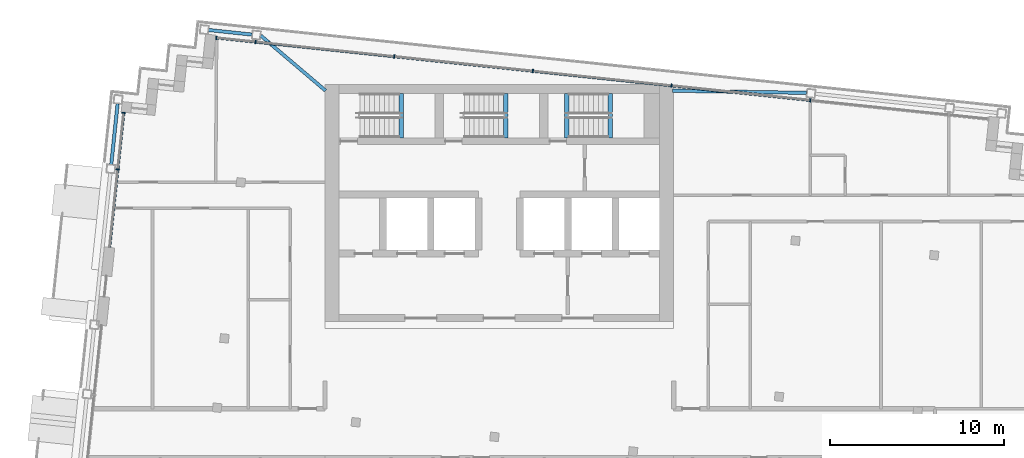
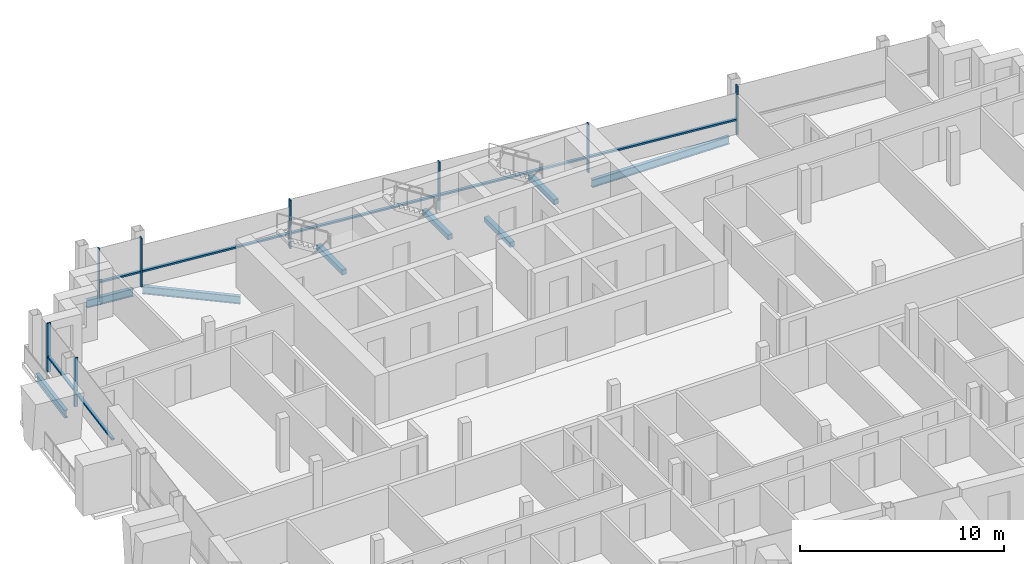
# One storey, part 5 of 17: 15 members, 8 beams, 2 elements without a shape of their own.
"""IFC4 building model written with IfcOpenShell, lengths in metres."""

import ifcopenshell
import ifcopenshell.guid

model = None  # the IFC model being written
_history = None  # IfcOwnerHistory: only IFC2X3 demands one
_inside = {}  # id of a spatial element -> (the spatial element, [elements in it])
_under = {}  # id of a project, library or spatial element -> (it, [spatial elements below it])
_declared = {}  # id of a project -> (the project, [libraries it declares])
_typed = {}  # id of a type object -> (the type object, [elements of that type])
_made_of = {}  # id of a material, layer set ... -> (it, [elements and type objects made of it])


def new_model(schema):
    """Start an empty IFC model of exactly this schema.

    Asked for "IFC4X3", IfcOpenShell would pick the latest addendum, in which some entities
    have other attributes; the version numbers below select the first issue.
    IFC2X3 requires an IfcOwnerHistory on every rooted entity: one is made here for all.
    """
    global model, _history
    if schema == "IFC4X3":
        model = ifcopenshell.file(schema_version=(4, 3, 0, 0))
    else:
        model = ifcopenshell.file(schema=schema)
    _inside.clear()
    _under.clear()
    _declared.clear()
    _typed.clear()
    _made_of.clear()
    _history = None
    if model.schema == "IFC2X3":
        org = make("IfcOrganization", Name="unknown")
        user = make(
            "IfcPersonAndOrganization",
            ThePerson=make("IfcPerson", FamilyName="unknown"),
            TheOrganization=org,
        )
        app = make(
            "IfcApplication",
            ApplicationDeveloper=org,
            Version="unknown",
            ApplicationFullName="unknown",
            ApplicationIdentifier="unknown",
        )
        _history = make(
            "IfcOwnerHistory",
            OwningUser=user,
            OwningApplication=app,
            ChangeAction="ADDED",
            CreationDate=0,
        )
    return model


def make(cls, **values):
    """One entity of the class cls with the attributes given. An attribute that is None is left unset."""
    return model.create_entity(
        cls, **{name: value for name, value in values.items() if value is not None}
    )


def rooted(cls, **values):
    """An entity with a GlobalId (a new one), such as an element, a storey or a relation."""
    return make(cls, GlobalId=ifcopenshell.guid.new(), OwnerHistory=_history, **values)


def si_unit(unit_type, name, prefix=None):
    """IfcSIUnit, for example si_unit("LENGTHUNIT", "METRE", prefix="MILLI")."""
    return make("IfcSIUnit", UnitType=unit_type, Prefix=prefix, Name=name)


def assignment(units):
    """IfcUnitAssignment: the units of a project."""
    return None if units is None else make("IfcUnitAssignment", Units=units)


def point(xyz):
    """IfcCartesianPoint."""
    return None if xyz is None else make("IfcCartesianPoint", Coordinates=xyz)


def direction(xyz):
    """IfcDirection."""
    return None if xyz is None else make("IfcDirection", DirectionRatios=xyz)


def frame(location, z_axis=None, x_axis=None):
    """IfcAxis2Placement3D, a coordinate frame: its origin and axes. An axis left out is left unset."""
    return make(
        "IfcAxis2Placement3D",
        Location=point(location),
        Axis=direction(z_axis),
        RefDirection=direction(x_axis),
    )


def frame_2d(location, x_axis=None):
    """IfcAxis2Placement2D, a coordinate frame in the plane: its origin and x axis."""
    return make(
        "IfcAxis2Placement2D", Location=point(location), RefDirection=direction(x_axis)
    )


def origin():
    """The frame at (0, 0, 0) with its axes left unset."""
    return frame((0.0, 0.0, 0.0))


def origin_2d():
    """The frame at (0, 0) in the plane with its x axis left unset."""
    return frame_2d((0.0, 0.0))


def place(relative_to, where):
    """IfcLocalPlacement: puts the frame where relative to a parent placement (None: the world)."""
    return make(
        "IfcLocalPlacement", PlacementRelTo=relative_to, RelativePlacement=where
    )


def context(
    kind, dimensions, precision=None, world=None, true_north=None, identifier=None
):
    """IfcGeometricRepresentationContext, for example the 3D "Model" context."""
    return make(
        "IfcGeometricRepresentationContext",
        ContextIdentifier=identifier,
        ContextType=kind,
        CoordinateSpaceDimension=dimensions,
        Precision=precision,
        WorldCoordinateSystem=world,
        TrueNorth=true_north,
    )


def subcontext(parent, identifier, kind, view, scale=None):
    """IfcGeometricRepresentationSubContext, for example "Body" below "Model"."""
    return make(
        "IfcGeometricRepresentationSubContext",
        ContextIdentifier=identifier,
        ContextType=kind,
        ParentContext=parent,
        TargetScale=scale,
        TargetView=view,
    )


def project(units=None, contexts=None):
    """IfcProject with its units and contexts."""
    return rooted(
        "IfcProject",
        Name="project",
        RepresentationContexts=contexts,
        UnitsInContext=assignment(units),
    )


def spatial(cls, under=None, at=None, **own):
    """A site, building, storey or space (cls), placed at a placement, below another one or the project."""
    s = rooted(cls, ObjectPlacement=at, **own)
    if under is not None:
        _under.setdefault(under.id(), (under, []))[1].append(s)
    return s


def profile(cls, at=None, kind="AREA", **sizes):
    """A parametric profile (cls). Its sizes go by their IFC names, for example OverallWidth=200.0."""
    return make(cls, ProfileType=kind, Position=at, **sizes)


def rectangle(**sizes):
    """IfcRectangleProfileDef."""
    return profile("IfcRectangleProfileDef", **sizes)


def i_section(**sizes):
    """IfcIShapeProfileDef."""
    return profile("IfcIShapeProfileDef", **sizes)


def extrude(swept, where, along, depth):
    """IfcExtrudedAreaSolid: the profile swept, set in the frame where, extruded along a direction by depth."""
    return make(
        "IfcExtrudedAreaSolid",
        SweptArea=swept,
        Position=where,
        ExtrudedDirection=direction(along),
        Depth=depth,
    )


def shape(context_of_items, identifier, shape_type, items):
    """IfcShapeRepresentation: the items that make up one representation, for example the "Body"."""
    return make(
        "IfcShapeRepresentation",
        ContextOfItems=context_of_items,
        RepresentationIdentifier=identifier,
        RepresentationType=shape_type,
        Items=items,
    )


def material(Name=None, Category=None):
    """IfcMaterial."""
    return make("IfcMaterial", Name=Name, Category=Category)


def material_profile(
    of_material, cross_section, Name=None, Category=None, Priority=None
):
    """IfcMaterialProfile: a cross section and its material."""
    return make(
        "IfcMaterialProfile",
        Name=Name,
        Material=of_material,
        Profile=cross_section,
        Priority=Priority,
        Category=Category,
    )


def profile_set(profiles, Name=None, composite=None):
    """IfcMaterialProfileSet."""
    return make(
        "IfcMaterialProfileSet",
        Name=Name,
        MaterialProfiles=profiles,
        CompositeProfile=composite,
    )


def made_of(thing, what):
    """Note that an element or type object is made of a material, layer set ...; save() writes the relation."""
    if what is not None:
        _made_of.setdefault(what.id(), (what, []))[1].append(thing)
    return thing


def type_object(cls, material=None, **own):
    """A type object (cls), such as IfcWallType, which elements share."""
    return made_of(rooted(cls, **own), material)


def element(
    cls,
    number,
    at=None,
    inside=None,
    cuts=None,
    type_object=None,
    material=None,
    context=None,
    identifier="Body",
    shape_type=None,
    held_by="IfcProductDefinitionShape",
    body=None,
    shapes=None,
    **own,
):
    """One element of the class cls, such as IfcWall. Its Tag is "e" and its number.

    at: its placement. inside: the storey or other place that contains it. cuts: it is an
    opening in that element (IfcRelVoidsElement). A single representation is given by context,
    identifier, shape_type and body (its items); several are given by shapes. held_by: the class
    of the entity that holds the representations. save() writes the other relations.
    """
    e = rooted(cls, Tag="e%d" % number, ObjectPlacement=at, **own)
    if body is not None:
        shapes = [shape(context, identifier, shape_type, body)]
    if shapes is not None:
        e.Representation = make(held_by, Representations=shapes)
    if inside is not None:
        _inside.setdefault(inside.id(), (inside, []))[1].append(e)
    if cuts is not None:
        rooted(
            "IfcRelVoidsElement", RelatingBuildingElement=cuts, RelatedOpeningElement=e
        )
    if type_object is not None:
        _typed.setdefault(type_object.id(), (type_object, []))[1].append(e)
    return made_of(e, material)


def aggregate(whole, parts):
    """IfcRelAggregates: a whole, such as a stair, and the parts it consists of."""
    return rooted("IfcRelAggregates", RelatingObject=whole, RelatedObjects=parts)


def save(model, path):
    """Write the relations noted so far, then the file.

    IfcRelAggregates (storeys below a building ...), IfcRelContainedInSpatialStructure (elements
    in a storey), IfcRelDefinesByType, IfcRelAssociatesMaterial and IfcRelDeclares: one each for
    every whole, place, type object, material and project.
    """
    for whole, parts in _under.values():
        aggregate(whole, parts)
    for where, things in _inside.values():
        rooted(
            "IfcRelContainedInSpatialStructure",
            RelatedElements=things,
            RelatingStructure=where,
        )
    for kind, things in _typed.values():
        rooted("IfcRelDefinesByType", RelatedObjects=things, RelatingType=kind)
    for what, things in _made_of.values():
        rooted("IfcRelAssociatesMaterial", RelatedObjects=things, RelatingMaterial=what)
    for by, libraries in _declared.values():
        rooted("IfcRelDeclares", RelatingContext=by, RelatedDefinitions=libraries)
    model.write(path)


model = new_model("IFC4")

# Units and contexts
model_context = context("Model", 3, precision=1e-05, world=origin(), true_north=direction((0.0, 1.0)))
body_context = subcontext(model_context, "Body", "Model", "MODEL_VIEW")
ifc_project = project(units=[si_unit("LENGTHUNIT", "METRE"), si_unit("AREAUNIT", "SQUARE_METRE"), si_unit("VOLUMEUNIT", "CUBIC_METRE"), si_unit("PLANEANGLEUNIT", "RADIAN"), si_unit("MASSUNIT", "GRAM", prefix="KILO")], contexts=[model_context])

# Site, building, storey
site_placement = place(None, origin())
site = spatial("IfcSite", under=ifc_project, at=site_placement, CompositionType="ELEMENT")
building_placement = place(site_placement, origin())
building = spatial("IfcBuilding", under=site, at=building_placement, Name="Vidyagriha Tower", CompositionType="ELEMENT")
storey_placement = place(building_placement, frame((0.0, 0.0, 265.89990234375)))
storey = spatial("IfcBuildingStorey", under=building, at=storey_placement, Name="L69", CompositionType="ELEMENT", Elevation=265.89990234375)

# Beams
ifc_material_1 = material(Name="Steel ASTM A992 Grade 50", Category="steel")
ifc_material_profile_1 = material_profile(ifc_material_1, i_section(OverallWidth=0.19189453125, OverallDepth=0.46240234375, WebThickness=0.010498046875, FlangeThickness=0.017578125, at=origin_2d()), Name="W18X60")
ifc_profile_set_1 = profile_set([ifc_material_profile_1], Name="Steel ASTM A992 Grade 50")
beam_type_1 = type_object("IfcBeamType", Name="Edge beam W18X60", PredefinedType="SPANDREL", material=ifc_profile_set_1)
beam_1_placement = place(storey_placement, frame((-22.263916015625, 15.422607421875, -0.510986328125), z_axis=(0.104495960989, 0.994525310958, 0.0), x_axis=(-0.994525310958, 0.104495960989, 0.0)))
element("IfcBeam", 1, at=beam_1_placement, inside=storey, type_object=beam_type_1, Name="st-beam-L69-W12", PredefinedType="SPANDREL", context=body_context, shape_type="SweptSolid", body=[
    extrude(i_section(OverallWidth=0.19189453125, OverallDepth=0.46240234375, WebThickness=0.010498046875, FlangeThickness=0.017578125, at=origin_2d()), origin(), (0.0, 0.0, 1.0), 3.499755859375),
])
beam_2_placement = place(storey_placement, frame((-16.677490234375, 23.130859375, -0.510986328125), z_axis=(0.994514546653, -0.104598357995, 0.0), x_axis=(0.104598357995, 0.994514546653, 0.0)))
element("IfcBeam", 2, at=beam_2_placement, inside=storey, type_object=beam_type_1, Name="st-beam-L69-NW18", PredefinedType="SPANDREL", context=body_context, shape_type="SweptSolid", body=[
    extrude(i_section(OverallWidth=0.19189453125, OverallDepth=0.46240234375, WebThickness=0.010498046875, FlangeThickness=0.017578125, at=origin_2d()), origin(), (0.0, 0.0, 1.0), 2.499755859375),
])
beam_3_placement = place(storey_placement, frame((-13.694091796875, 22.817138671875, -0.510986328125), z_axis=(0.762224865329, -0.647312331625, 0.0), x_axis=(0.647312331625, 0.762224865329, 0.0)))
element("IfcBeam", 3, at=beam_3_placement, inside=storey, type_object=beam_type_1, Name="st-beam-L69-NC21", PredefinedType="SPANDREL", context=body_context, shape_type="SweptSolid", body=[
    extrude(i_section(OverallWidth=0.19189453125, OverallDepth=0.46240234375, WebThickness=0.010498046875, FlangeThickness=0.017578125, at=origin_2d()), origin(), (0.0, 0.0, 1.0), 4.892822265625),
])
beam_4_placement = place(storey_placement, frame((9.92578125, 19.64990234375, -0.510986328125), z_axis=(0.99986748631, -0.016279122203, 0.0), x_axis=(0.016279122203, 0.99986748631, 0.0)))
element("IfcBeam", 4, at=beam_4_placement, inside=storey, type_object=beam_type_1, Name="st-beam-L69-NC22", PredefinedType="SPANDREL", context=body_context, shape_type="SweptSolid", body=[
    extrude(i_section(OverallWidth=0.19189453125, OverallDepth=0.46240234375, WebThickness=0.010498046875, FlangeThickness=0.017578125, at=origin_2d()), origin(), (0.0, 0.0, 1.0), 7.70849609375),
])

# Curtain wall, members
ifc_material_2 = material(Name="Aluminium and glass curtain wall", Category="aluminium")
curtain_wall_type = type_object("IfcCurtainWallType", Name="Dwelling skin unitised curtain wall", PredefinedType="USERDEFINED", material=ifc_material_2)
curtain_wall_1_placement = place(storey_placement, origin())
curtain_wall_1 = element("IfcCurtainWall", 5, at=curtain_wall_1_placement, inside=storey, type_object=curtain_wall_type, Name="CW1 dwelling skin", ObjectType="UNITISED", PredefinedType="USERDEFINED")
ifc_material_3 = material(Name="Aluminium black anodised", Category="aluminium")
ifc_material_profile_2 = material_profile(ifc_material_3, rectangle(XDim=0.199951171875, YDim=0.070068359375, at=origin_2d()), Name="Mullion 70x200 black aluminium")
ifc_profile_set_2 = profile_set([ifc_material_profile_2], Name="Aluminium black anodised")
member_type_1 = type_object("IfcMemberType", Name="Mullion 70x200 black aluminium", PredefinedType="MULLION", material=ifc_profile_set_2)
member_1_placement = place(storey_placement, frame((17.840087890625, 19.1005859375, 0.0), z_axis=(0.0, 0.0, 1.0), x_axis=(-0.104528852722, -0.994521854435, 0.0)))
member_1 = element("IfcMember", 6, at=member_1_placement, type_object=member_type_1, Name="CW1 mullion 3", PredefinedType="MULLION", context=body_context, shape_type="SweptSolid", body=[
    extrude(rectangle(XDim=0.199951171875, YDim=0.070068359375, at=origin_2d()), origin(), (0.0, 0.0, 1.0), 2.920166015625),
])
member_2_placement = place(storey_placement, frame((9.884033203125, 19.936767578125, 0.0), z_axis=(0.0, 0.0, 1.0), x_axis=(-0.104528852722, -0.994521854435, 0.0)))
member_2 = element("IfcMember", 7, at=member_2_placement, type_object=member_type_1, Name="CW1 mullion 4", PredefinedType="MULLION", context=body_context, shape_type="SweptSolid", body=[
    extrude(rectangle(XDim=0.199951171875, YDim=0.070068359375, at=origin_2d()), origin(), (0.0, 0.0, 1.0), 2.920166015625),
])
member_3_placement = place(storey_placement, frame((1.927978515625, 20.773193359375, 0.0), z_axis=(0.0, 0.0, 1.0), x_axis=(-0.104528852722, -0.994521854435, 0.0)))
member_3 = element("IfcMember", 8, at=member_3_placement, type_object=member_type_1, Name="CW1 mullion 5", PredefinedType="MULLION", context=body_context, shape_type="SweptSolid", body=[
    extrude(rectangle(XDim=0.199951171875, YDim=0.070068359375, at=origin_2d()), origin(), (0.0, 0.0, 1.0), 2.920166015625),
])
member_4_placement = place(storey_placement, frame((-6.0283203125, 21.609375, 0.0), z_axis=(0.0, 0.0, 1.0), x_axis=(-0.104528852722, -0.994521854435, 0.0)))
member_4 = element("IfcMember", 9, at=member_4_placement, type_object=member_type_1, Name="CW1 mullion 6", PredefinedType="MULLION", context=body_context, shape_type="SweptSolid", body=[
    extrude(rectangle(XDim=0.199951171875, YDim=0.070068359375, at=origin_2d()), origin(), (0.0, 0.0, 1.0), 2.920166015625),
])
member_5_placement = place(storey_placement, frame((-13.984375, 22.445556640625, 0.0), z_axis=(0.0, 0.0, 1.0), x_axis=(-0.104528852722, -0.994521854435, 0.0)))
member_5 = element("IfcMember", 10, at=member_5_placement, type_object=member_type_1, Name="CW1 mullion 7", PredefinedType="MULLION", context=body_context, shape_type="SweptSolid", body=[
    extrude(rectangle(XDim=0.199951171875, YDim=0.070068359375, at=origin_2d()), origin(), (0.0, 0.0, 1.0), 2.920166015625),
])
member_6_placement = place(storey_placement, frame((-16.2373046875, 22.682373046875, 0.0), z_axis=(0.0, 0.0, 1.0), x_axis=(-0.104528852722, -0.994521854435, 0.0)))
member_6 = element("IfcMember", 11, at=member_6_placement, type_object=member_type_1, Name="CW1 mullion 8", PredefinedType="MULLION", context=body_context, shape_type="SweptSolid", body=[
    extrude(rectangle(XDim=0.199951171875, YDim=0.070068359375, at=origin_2d()), origin(), (0.0, 0.0, 1.0), 2.920166015625),
])

curtain_wall_2_placement = place(storey_placement, origin())
curtain_wall_2 = element("IfcCurtainWall", 12, at=curtain_wall_2_placement, inside=storey, type_object=curtain_wall_type, Name="CW1 dwelling skin", ObjectType="UNITISED", PredefinedType="USERDEFINED")
member_7_placement = place(storey_placement, frame((-21.551025390625, 18.379150390625, 0.0), z_axis=(0.0, 0.0, 1.0), x_axis=(0.994522229676, -0.104525282489, 0.0)))
member_7 = element("IfcMember", 13, at=member_7_placement, type_object=member_type_1, Name="CW1 mullion 1", PredefinedType="MULLION", context=body_context, shape_type="SweptSolid", body=[
    extrude(rectangle(XDim=0.199951171875, YDim=0.070068359375, at=origin_2d()), origin(), (0.0, 0.0, 1.0), 2.920166015625),
])
member_8_placement = place(storey_placement, frame((-21.892333984375, 15.132080078125, 0.0), z_axis=(0.0, 0.0, 1.0), x_axis=(0.994522229676, -0.104525282489, 0.0)))
member_8 = element("IfcMember", 14, at=member_8_placement, type_object=member_type_1, Name="CW1 mullion 2", PredefinedType="MULLION", context=body_context, shape_type="SweptSolid", body=[
    extrude(rectangle(XDim=0.199951171875, YDim=0.070068359375, at=origin_2d()), origin(), (0.0, 0.0, 1.0), 2.920166015625),
])

# Beams
ifc_material_4 = material(Name="Concrete C40/50", Category="concrete")
ifc_material_profile_3 = material_profile(ifc_material_4, rectangle(XDim=0.25, YDim=0.300048828125, at=origin_2d()), Name="Stair landing bearing beam 250x300")
ifc_profile_set_3 = profile_set([ifc_material_profile_3], Name="Concrete C40/50")
beam_type_2 = type_object("IfcBeamType", Name="Stair landing bearing beam 250x300", PredefinedType="BEAM", material=ifc_profile_set_3)
for number, where, z_axis, x_axis, name in (
    (15, (3.875, 16.949951171875, -0.429931640625), (0.0, 1.0, 0.0), (-1.0, 0.0, 0.0), "ST3 floor landing bearing beam L69"),
    (16, (-5.635009765625, 16.949951171875, 1.25), (0.0, 1.0, 0.0), (-1.0, 0.0, 0.0), "ST1 landing bearing beam L69"),
    (17, (0.364990234375, 16.949951171875, 1.25), (0.0, 1.0, 0.0), (-1.0, 0.0, 0.0), "ST2 landing bearing beam L69"),
    (18, (6.364990234375, 16.949951171875, 1.25), (0.0, 1.0, 0.0), (-1.0, 0.0, 0.0), "ST3 landing bearing beam L69"),
):
    element("IfcBeam", number, at=place(storey_placement, frame(where, z_axis=z_axis, x_axis=x_axis)), inside=storey, type_object=beam_type_2, Name=name, PredefinedType="BEAM", context=body_context, shape_type="SweptSolid", body=[
        extrude(rectangle(XDim=0.25, YDim=0.300048828125, at=origin_2d()), origin(), (0.0, 0.0, 1.0), 2.550048828125),
    ])

# Member
ifc_material_5 = material(Name="Aluminium black anodised", Category="aluminium")
ifc_material_profile_4 = material_profile(ifc_material_5, rectangle(XDim=0.159912109375, YDim=0.10009765625, at=origin_2d()), Name="Transom 100x160 black aluminium")
ifc_profile_set_4 = profile_set([ifc_material_profile_4], Name="Aluminium black anodised")
member_type_2 = type_object("IfcMemberType", Name="Transom 100x160 black aluminium", PredefinedType="USERDEFINED", material=ifc_profile_set_4)
member_9_placement = place(storey_placement, frame((17.805419921875, 19.104248046875, 0.900146484375), z_axis=(-0.994522814543, 0.104519717539, 0.0), x_axis=(-0.104519717539, -0.994522814543, 0.0)))
member_9 = element("IfcMember", 19, at=member_9_placement, type_object=member_type_2, Name="CW1 transom 3.1", ObjectType="TRANSOM", PredefinedType="USERDEFINED", context=body_context, shape_type="SweptSolid", body=[
    extrude(rectangle(XDim=0.159912109375, YDim=0.10009765625, at=origin_2d()), origin(), (0.0, 0.0, 1.0), 7.93017578125),
])

member_10_placement = place(storey_placement, frame((9.84912109375, 19.9404296875, 0.900146484375), z_axis=(-0.994519277397, 0.104553368605, 0.0), x_axis=(-0.104553368605, -0.994519277397, 0.0)))
member_10 = element("IfcMember", 20, at=member_10_placement, type_object=member_type_2, Name="CW1 transom 4.1", ObjectType="TRANSOM", PredefinedType="USERDEFINED", context=body_context, shape_type="SweptSolid", body=[
    extrude(rectangle(XDim=0.159912109375, YDim=0.10009765625, at=origin_2d()), origin(), (0.0, 0.0, 1.0), 7.929931640625),
])

member_11_placement = place(storey_placement, frame((1.89306640625, 20.77685546875, 0.900146484375), z_axis=(-0.994522478205, 0.104522917794, 0.0), x_axis=(-0.104522917794, -0.994522478205, 0.0)))
member_11 = element("IfcMember", 21, at=member_11_placement, type_object=member_type_2, Name="CW1 transom 5.1", ObjectType="TRANSOM", PredefinedType="USERDEFINED", context=body_context, shape_type="SweptSolid", body=[
    extrude(rectangle(XDim=0.159912109375, YDim=0.10009765625, at=origin_2d()), origin(), (0.0, 0.0, 1.0), 7.929931640625),
])

member_12_placement = place(storey_placement, frame((-6.06298828125, 21.613037109375, 0.900146484375), z_axis=(-0.994522814543, 0.104519717539, 0.0), x_axis=(-0.104519717539, -0.994522814543, 0.0)))
member_12 = element("IfcMember", 22, at=member_12_placement, type_object=member_type_2, Name="CW1 transom 6.1", ObjectType="TRANSOM", PredefinedType="USERDEFINED", context=body_context, shape_type="SweptSolid", body=[
    extrude(rectangle(XDim=0.159912109375, YDim=0.10009765625, at=origin_2d()), origin(), (0.0, 0.0, 1.0), 7.93017578125),
])

member_13_placement = place(storey_placement, frame((-14.019287109375, 22.44921875, 0.900146484375), z_axis=(-0.994520069272, 0.104545835956, 0.0), x_axis=(-0.104545835956, -0.994520069272, 0.0)))
member_13 = element("IfcMember", 23, at=member_13_placement, type_object=member_type_2, Name="CW1 transom 7.1", ObjectType="TRANSOM", PredefinedType="USERDEFINED", context=body_context, shape_type="SweptSolid", body=[
    extrude(rectangle(XDim=0.159912109375, YDim=0.10009765625, at=origin_2d()), origin(), (0.0, 0.0, 1.0), 2.195068359375),
])

aggregate(curtain_wall_1, [member_1, member_2, member_3, member_4, member_5, member_6, member_9, member_10, member_11, member_12, member_13])

member_14_placement = place(storey_placement, frame((-21.5546875, 18.344482421875, 0.900146484375), z_axis=(-0.104533631179, -0.994521352185, 0.0), x_axis=(0.994521352185, -0.104533631179, 0.0)))
member_14 = element("IfcMember", 24, at=member_14_placement, type_object=member_type_2, Name="CW1 transom 1.1", ObjectType="TRANSOM", PredefinedType="USERDEFINED", context=body_context, shape_type="SweptSolid", body=[
    extrude(rectangle(XDim=0.159912109375, YDim=0.10009765625, at=origin_2d()), origin(), (0.0, 0.0, 1.0), 3.195068359375),
])

member_15_placement = place(storey_placement, frame((-21.89599609375, 15.097412109375, 0.900146484375), z_axis=(-0.104542473379, -0.994520422746, 0.0), x_axis=(0.994520422746, -0.104542473379, 0.0)))
member_15 = element("IfcMember", 25, at=member_15_placement, type_object=member_type_2, Name="CW1 transom 2.1", ObjectType="TRANSOM", PredefinedType="USERDEFINED", context=body_context, shape_type="SweptSolid", body=[
    extrude(rectangle(XDim=0.159912109375, YDim=0.10009765625, at=origin_2d()), origin(), (0.0, 0.0, 1.0), 4.465087890625),
])

aggregate(curtain_wall_2, [member_7, member_8, member_14, member_15])

save(model, "model.ifc")
